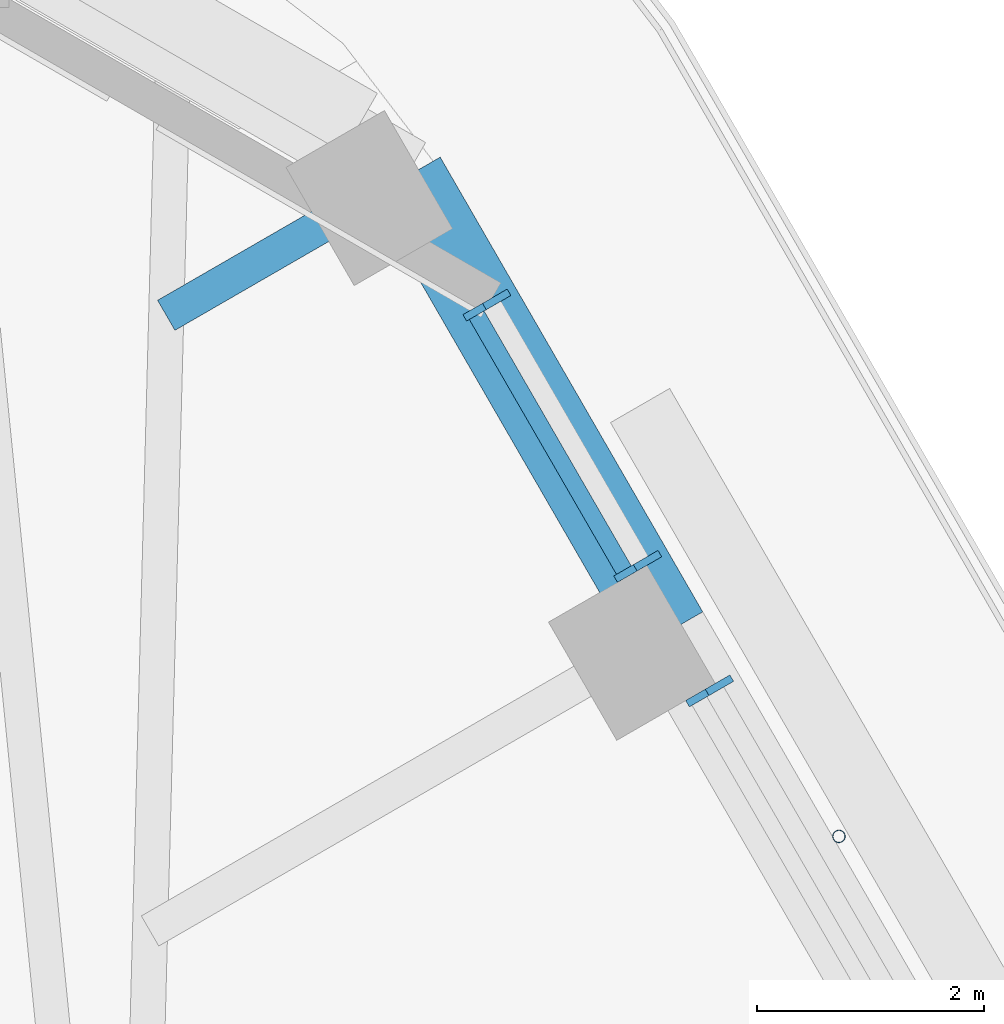
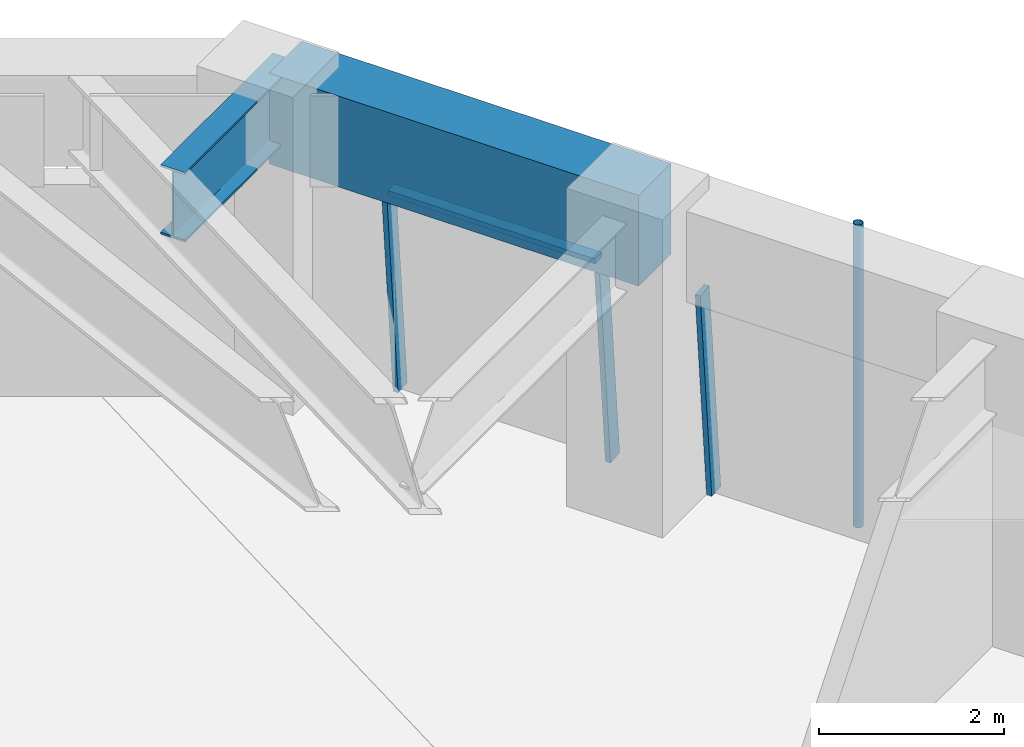
# One storey, part 12 of 20: 5 members, 2 beams, 2 elements without a shape of their own.
"""IFC4 building model written with IfcOpenShell, lengths in metres."""

from ifc_helpers import new_model, si_unit, direction, frame, origin, origin_2d, place, context, subcontext, project, spatial, rectangle, hollow_circle, i_section, extrude, material, material_profile, profile_set, type_object, element, aggregate, save


model = new_model("IFC4")

# Units and contexts
model_context = context("Model", 3, precision=1e-05, world=origin(), true_north=direction((0.0, 1.0)))
body_context = subcontext(model_context, "Body", "Model", "MODEL_VIEW")
ifc_project = project(units=[si_unit("LENGTHUNIT", "METRE"), si_unit("AREAUNIT", "SQUARE_METRE"), si_unit("VOLUMEUNIT", "CUBIC_METRE"), si_unit("PLANEANGLEUNIT", "RADIAN"), si_unit("MASSUNIT", "GRAM", prefix="KILO")], contexts=[model_context])

# Site, building, storey
site_placement = place(None, origin())
site = spatial("IfcSite", under=ifc_project, at=site_placement, CompositionType="ELEMENT")
building_placement = place(site_placement, origin())
building = spatial("IfcBuilding", under=site, at=building_placement, Name="Tarfa Lantern Tower", CompositionType="ELEMENT")
storey_placement = place(building_placement, frame((0.0, 0.0, 261.699951171875)))
storey = spatial("IfcBuildingStorey", under=building, at=storey_placement, Name="L59", CompositionType="ELEMENT", Elevation=261.699951171875)

# Curtain wall, member
ifc_material_1 = material(Name="Aluminium framed curtain wall", Category="aluminium")
curtain_wall_type = type_object("IfcCurtainWallType", Name="CW3 CANTED GLAZING HIGH ZONE 2800", PredefinedType="USERDEFINED", material=ifc_material_1)
curtain_wall_1_placement = place(storey_placement, origin())
curtain_wall_1 = element("IfcCurtainWall", 1, at=curtain_wall_1_placement, inside=storey, type_object=curtain_wall_type, Name="CW3 NE L59", ObjectType="CURTAIN WALL", PredefinedType="USERDEFINED")
ifc_material_2 = material(Name="Aluminium mullion", Category="aluminium")
ifc_material_profile_1 = material_profile(ifc_material_2, rectangle(XDim=0.06494140625, YDim=0.199951171875, at=origin_2d()), Name="AL MULLION 65x200")
ifc_profile_set_1 = profile_set([ifc_material_profile_1], Name="Aluminium mullion")
member_type_1 = type_object("IfcMemberType", Name="CWM1 MULLION 65x200", PredefinedType="MULLION", material=ifc_profile_set_1)
member_1_placement = place(storey_placement, frame((20.7255859375, 21.90234375, 0.0), z_axis=(-0.077032386753, -0.044465143199, 0.996036576854), x_axis=(0.499919672301, -0.866071776036, 0.0)))
member_1 = element("IfcMember", 2, at=member_1_placement, type_object=member_type_1, Name="CW3 mullion 2", PredefinedType="MULLION", context=body_context, shape_type="SweptSolid", body=[
    extrude(rectangle(XDim=0.06494140625, YDim=0.199951171875, at=origin_2d()), origin(), (0.0, 0.0, 1.0), 2.811279296875),
])
aggregate(curtain_wall_1, [member_1])

# Curtain wall, members
curtain_wall_2_placement = place(storey_placement, origin())
curtain_wall_2 = element("IfcCurtainWall", 3, at=curtain_wall_2_placement, inside=storey, type_object=curtain_wall_type, Name="CW3 NE L59", ObjectType="CURTAIN WALL", PredefinedType="USERDEFINED")
member_2_placement = place(storey_placement, frame((20.093017578125, 22.997802734375, 0.0), z_axis=(-0.077032386753, -0.044465143199, 0.996036576854), x_axis=(0.499919672301, -0.866071776036, 0.0)))
member_2 = element("IfcMember", 4, at=member_2_placement, type_object=member_type_1, Name="CW3 mullion 1", PredefinedType="MULLION", context=body_context, shape_type="SweptSolid", body=[
    extrude(rectangle(XDim=0.06494140625, YDim=0.199951171875, at=origin_2d()), origin(), (0.0, 0.0, 1.0), 2.811279296875),
])
member_3_placement = place(storey_placement, frame((18.76611328125, 25.296142578125, 0.0), z_axis=(-0.077032386753, -0.044465143199, 0.996036576854), x_axis=(0.499919672301, -0.866071776036, 0.0)))
member_3 = element("IfcMember", 5, at=member_3_placement, type_object=member_type_1, Name="CW3 mullion 2", PredefinedType="MULLION", context=body_context, shape_type="SweptSolid", body=[
    extrude(rectangle(XDim=0.06494140625, YDim=0.199951171875, at=origin_2d()), origin(), (0.0, 0.0, 1.0), 2.811279296875),
])
ifc_material_3 = material(Name="Aluminium transom", Category="aluminium")
ifc_material_profile_2 = material_profile(ifc_material_3, rectangle(XDim=0.14990234375, YDim=0.06494140625, at=origin_2d()), Name="AL TRANSOM 150x65")
ifc_profile_set_2 = profile_set([ifc_material_profile_2], Name="Aluminium transom")
member_type_2 = type_object("IfcMemberType", Name="CWT1 TRANSOM 150x65", PredefinedType="USERDEFINED", material=ifc_profile_set_2)
member_4_placement = place(storey_placement, frame((19.86279296875, 22.90234375, 2.767578125), z_axis=(-0.5000136139, 0.866017543653, 0.0), x_axis=(-0.866017543653, -0.5000136139, 0.0)))
member_4 = element("IfcMember", 6, at=member_4_placement, type_object=member_type_2, Name="CW3 transom 1.2", ObjectType="TRANSOM", PredefinedType="USERDEFINED", context=body_context, shape_type="SweptSolid", body=[
    extrude(rectangle(XDim=0.14990234375, YDim=0.06494140625, at=origin_2d()), origin(), (0.0, 0.0, 1.0), 2.5888671875),
])
aggregate(curtain_wall_2, [member_2, member_3, member_4])

# Beam
ifc_material_4 = material(Name="Concrete C80/95", Category="concrete")
ifc_material_profile_3 = material_profile(ifc_material_4, rectangle(XDim=0.699951171875, YDim=1.199951171875, at=origin_2d()), Name="RC 700x1200")
ifc_profile_set_3 = profile_set([ifc_material_profile_3], Name="Concrete C80/95")
beam_type_1 = type_object("IfcBeamType", Name="EB3 RC 700x1200", PredefinedType="SPANDREL", material=ifc_profile_set_3)
beam_1_placement = place(storey_placement, frame((20.25341796875, 22.360107421875, 3.400146484375), z_axis=(-0.499987836815, 0.866032426089, 0.0), x_axis=(-0.866032426089, -0.499987836815, 0.0)))
element("IfcBeam", 7, at=beam_1_placement, inside=storey, type_object=beam_type_1, Name="Edge beam NE5", PredefinedType="SPANDREL", context=body_context, shape_type="SweptSolid", body=[
    extrude(rectangle(XDim=0.699951171875, YDim=1.199951171875, at=origin_2d()), origin(), (0.0, 0.0, 1.0), 4.61865234375),
])

# Member
ifc_material_5 = material(Name="Steel S355", Category="steel")
ifc_material_profile_4 = material_profile(ifc_material_5, hollow_circle(Radius=0.05712890625, WallThickness=0.00634765625, at=origin_2d()), Name="CHS114.3x6.3")
ifc_profile_set_4 = profile_set([ifc_material_profile_4], Name="Steel S355")
member_type_3 = type_object("IfcMemberType", Name="TR1 GREEN WALL TRELLIS CHS114.3x6.3", PredefinedType="USERDEFINED", material=ifc_profile_set_4)
member_5_placement = place(storey_placement, frame((21.754638671875, 20.56005859375, 0.0), z_axis=(0.0, 0.0, 1.0), x_axis=(1.0, 0.0, 0.0)))
element("IfcMember", 8, at=member_5_placement, inside=storey, type_object=member_type_3, Name="Trellis post NE 2", ObjectType="TRELLIS", PredefinedType="USERDEFINED", context=body_context, shape_type="SweptSolid", body=[
    extrude(hollow_circle(Radius=0.05712890625, WallThickness=0.00634765625, at=origin_2d()), origin(), (0.0, 0.0, 1.0), 4.0),
])

# Beam
ifc_material_6 = material(Name="Steel S460M", Category="steel")
ifc_material_profile_5 = material_profile(ifc_material_6, i_section(OverallWidth=0.305419921875, OverallDepth=0.91845703125, WebThickness=0.017333984375, FlangeThickness=0.02783203125, FilletRadius=0.01904296875, at=origin_2d()), Name="UB914x305x253")
ifc_profile_set_5 = profile_set([ifc_material_profile_5], Name="Steel S460M")
beam_type_2 = type_object("IfcBeamType", Name="UB914x305x253", PredefinedType="BEAM", material=ifc_profile_set_5)
beam_2_placement = place(storey_placement, frame((17.944091796875, 26.360107421875, 3.540771484375), z_axis=(-0.865980009423, -0.5000786171, 0.0), x_axis=(0.5000786171, -0.865980009423, 0.0)))
element("IfcBeam", 9, at=beam_2_placement, inside=storey, type_object=beam_type_2, Name="Floor beam NE6", PredefinedType="BEAM", context=body_context, shape_type="SweptSolid", body=[
    extrude(i_section(OverallWidth=0.305419921875, OverallDepth=0.91845703125, WebThickness=0.017333984375, FlangeThickness=0.02783203125, FilletRadius=0.01904296875, at=origin_2d()), origin(), (0.0, 0.0, 1.0), 2.4326171875),
])

save(model, "model.ifc")
